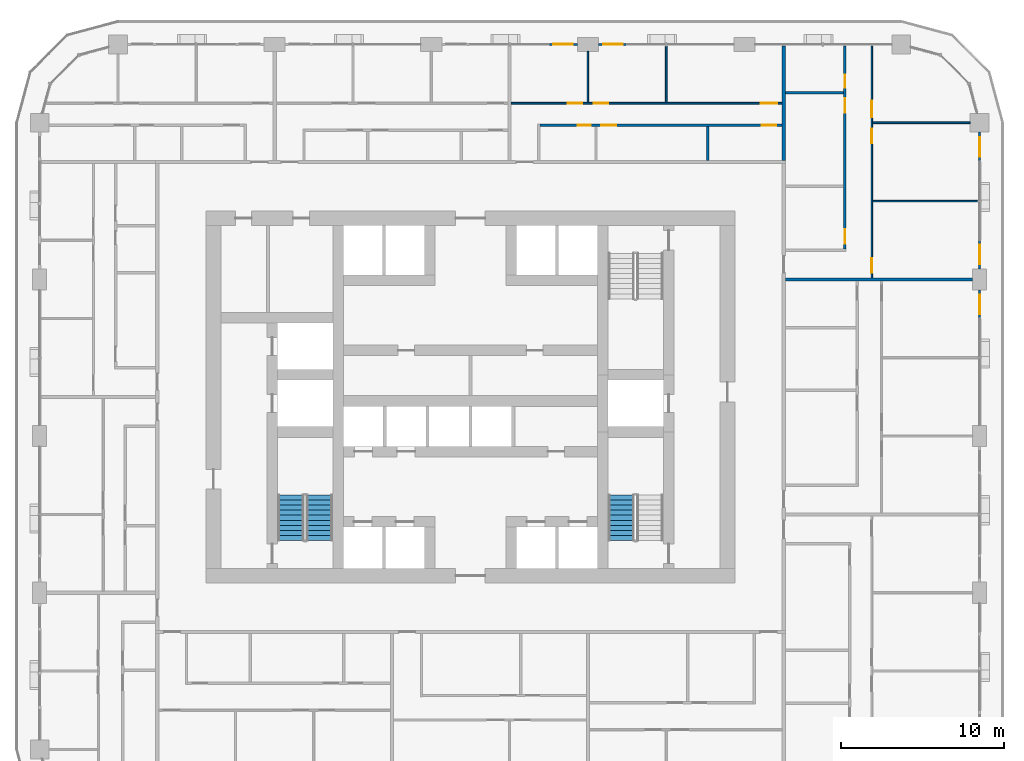
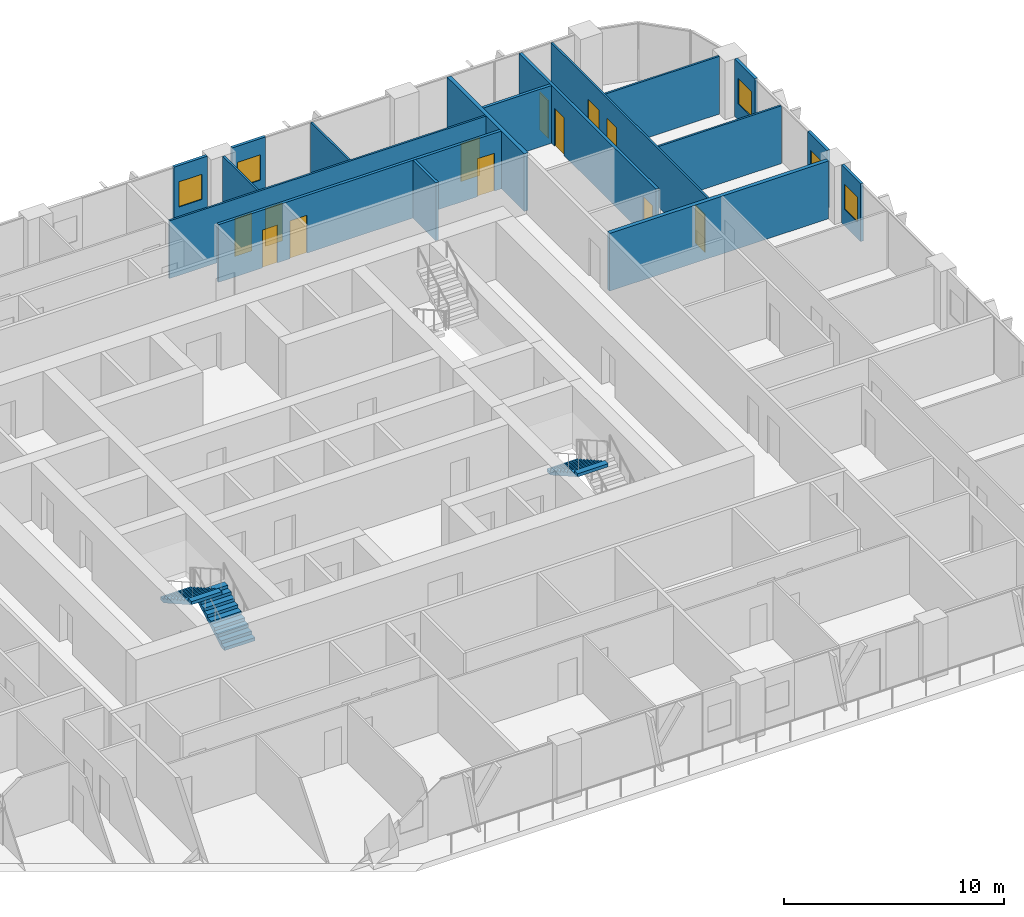
# One storey, part 15 of 22: 17 walls, 12 doors, 5 windows, 3 stair flights, 17 openings, 2 elements without a shape of their own.
"""IFC4 building model written with IfcOpenShell, lengths in metres."""

from ifc_helpers import new_model, si_unit, direction, frame, frame_2d, origin, place, context, subcontext, project, spatial, polyline, rectangle, outline, extrude, material, layer, layer_set, type_object, element, fill, aggregate, save


model = new_model("IFC4")

# Units and contexts
model_context = context("Model", 3, precision=1e-05, world=origin(), true_north=direction((0.0, 1.0)))
body_context = subcontext(model_context, "Body", "Model", "MODEL_VIEW")
ifc_project = project(units=[si_unit("LENGTHUNIT", "METRE"), si_unit("AREAUNIT", "SQUARE_METRE"), si_unit("VOLUMEUNIT", "CUBIC_METRE"), si_unit("PLANEANGLEUNIT", "RADIAN"), si_unit("MASSUNIT", "GRAM", prefix="KILO")], contexts=[model_context])

# Site, building, storey
site_placement = place(None, origin())
site = spatial("IfcSite", under=ifc_project, at=site_placement, CompositionType="ELEMENT")
building_placement = place(site_placement, origin())
building = spatial("IfcBuilding", under=site, at=building_placement, Name="Madar Terraces", CompositionType="ELEMENT")
storey_placement = place(building_placement, frame((0.0, 0.0, 73.300048828125)))
storey = spatial("IfcBuildingStorey", under=building, at=storey_placement, Name="L18", CompositionType="ELEMENT", Elevation=73.300048828125)

# Wall, opening, window
ifc_material_1 = material(Name="Aluminium composite panel, black, over insulated backing", Category="aluminium")
ifc_layer_1 = layer(ifc_material_1, 0.14990234375)
ifc_layer_set_1 = layer_set([ifc_layer_1], Name="Facade bay panel 150")
wall_type_1 = type_object("IfcWallType", Name="Facade bay panel 150", PredefinedType="SOLIDWALL", material=ifc_layer_set_1)
wall_1_placement = place(storey_placement, frame((62.39990234375, 31.199951171875, 0.0), z_axis=(0.0, 0.0, 1.0), x_axis=(0.0, 1.0, 0.0)))
wall_1 = element("IfcWall", 1, at=wall_1_placement, inside=storey, type_object=wall_type_1, Name="Facade bay panel", PredefinedType="SOLIDWALL", context=body_context, shape_type="SweptSolid", body=[
    extrude(rectangle(XDim=1.75, YDim=0.14990234375, at=frame_2d((0.875, 0.0))), origin(), (0.0, 0.0, 1.0), 3.199951171875),
])
opening_1_placement = place(wall_1_placement, frame((0.27490234375, 0.0, 0.89990234375)))
opening_1 = element("IfcOpeningElement", 2, at=opening_1_placement, cuts=wall_1, Name="Opening W1", PredefinedType="OPENING", context=body_context, shape_type="SweptSolid", body=[
    extrude(rectangle(XDim=1.199951171875, YDim=1.39990234375, at=frame_2d((0.60009765625, 0.699951171875))), frame((0.0, 0.0849609375, 0.0), z_axis=(0.0, -1.0, 0.0), x_axis=(1.0, 0.0, 0.0)), (0.0, 0.0, 1.0), 0.169921875),
])
ifc_material_2 = material(Name="Glass, clear, with black aluminium frame", Category="aluminium")
window_type = type_object("IfcWindowType", Name="Vent window 1200 x 1400", PartitioningType="SINGLE_PANEL", PredefinedType="WINDOW", material=ifc_material_2)
window_1_placement = place(opening_1_placement, origin())
window_1 = element("IfcWindow", 3, at=window_1_placement, inside=storey, type_object=window_type, Name="Operable vent window", OverallHeight=1.39990234375, OverallWidth=1.199951171875, PartitioningType="SINGLE_PANEL", PredefinedType="WINDOW", context=body_context, shape_type="SweptSolid", body=[
    extrude(rectangle(XDim=1.199951171875, YDim=1.39990234375, at=frame_2d((0.60009765625, 0.699951171875))), frame((0.0, 0.030029296875, 0.0), z_axis=(0.0, -1.0, 0.0), x_axis=(1.0, 0.0, 0.0)), (0.0, 0.0, 1.0), 0.06005859375),
])
fill(opening_1, window_1)

wall_2_placement = place(storey_placement, frame((62.39990234375, 34.25, 0.0), z_axis=(0.0, 0.0, 1.0), x_axis=(0.0, 1.0, 0.0)))
wall_2 = element("IfcWall", 4, at=wall_2_placement, inside=storey, type_object=wall_type_1, Name="Facade bay panel", PredefinedType="SOLIDWALL", context=body_context, shape_type="SweptSolid", body=[
    extrude(rectangle(XDim=1.75, YDim=0.14990234375, at=frame_2d((0.875, 0.0))), origin(), (0.0, 0.0, 1.0), 3.199951171875),
])
opening_2_placement = place(wall_2_placement, frame((0.27490234375, 0.0, 0.89990234375)))
opening_2 = element("IfcOpeningElement", 5, at=opening_2_placement, cuts=wall_2, Name="Opening W1", PredefinedType="OPENING", context=body_context, shape_type="SweptSolid", body=[
    extrude(rectangle(XDim=1.199951171875, YDim=1.39990234375, at=frame_2d((0.60009765625, 0.699951171875))), frame((0.0, 0.0849609375, 0.0), z_axis=(0.0, -1.0, 0.0), x_axis=(1.0, 0.0, 0.0)), (0.0, 0.0, 1.0), 0.169921875),
])
window_2_placement = place(opening_2_placement, origin())
window_2 = element("IfcWindow", 6, at=window_2_placement, inside=storey, type_object=window_type, Name="Operable vent window", OverallHeight=1.39990234375, OverallWidth=1.199951171875, PartitioningType="SINGLE_PANEL", PredefinedType="WINDOW", context=body_context, shape_type="SweptSolid", body=[
    extrude(rectangle(XDim=1.199951171875, YDim=1.39990234375, at=frame_2d((0.60009765625, 0.699951171875))), frame((0.0, 0.030029296875, 0.0), z_axis=(0.0, -1.0, 0.0), x_axis=(1.0, 0.0, 0.0)), (0.0, 0.0, 1.0), 0.06005859375),
])
fill(opening_2, window_2)

wall_3_placement = place(storey_placement, frame((62.39990234375, 40.800048828125, 0.0), z_axis=(0.0, 0.0, 1.0), x_axis=(0.0, 1.0, 0.0)))
wall_3 = element("IfcWall", 7, at=wall_3_placement, inside=storey, type_object=wall_type_1, Name="Facade bay panel", PredefinedType="SOLIDWALL", context=body_context, shape_type="SweptSolid", body=[
    extrude(rectangle(XDim=1.824951171875, YDim=0.14990234375, at=frame_2d((0.91259765625, 0.0))), origin(), (0.0, 0.0, 1.0), 3.199951171875),
])
opening_3_placement = place(wall_3_placement, frame((0.3125, 0.0, 0.89990234375)))
opening_3 = element("IfcOpeningElement", 8, at=opening_3_placement, cuts=wall_3, Name="Opening W1", PredefinedType="OPENING", context=body_context, shape_type="SweptSolid", body=[
    extrude(rectangle(XDim=1.199951171875, YDim=1.39990234375, at=frame_2d((0.60009765625, 0.699951171875))), frame((0.0, 0.0849609375, 0.0), z_axis=(0.0, -1.0, 0.0), x_axis=(1.0, 0.0, 0.0)), (0.0, 0.0, 1.0), 0.169921875),
])
window_3_placement = place(opening_3_placement, origin())
window_3 = element("IfcWindow", 9, at=window_3_placement, inside=storey, type_object=window_type, Name="Operable vent window", OverallHeight=1.39990234375, OverallWidth=1.199951171875, PartitioningType="SINGLE_PANEL", PredefinedType="WINDOW", context=body_context, shape_type="SweptSolid", body=[
    extrude(rectangle(XDim=1.199951171875, YDim=1.39990234375, at=frame_2d((0.60009765625, 0.699951171875))), frame((0.0, 0.030029296875, 0.0), z_axis=(0.0, -1.0, 0.0), x_axis=(1.0, 0.0, 0.0)), (0.0, 0.0, 1.0), 0.06005859375),
])
fill(opening_3, window_3)

wall_4_placement = place(storey_placement, frame((40.800048828125, 48.0, 0.0), z_axis=(0.0, 0.0, 1.0), x_axis=(-1.0, 0.0, 0.0)))
wall_4 = element("IfcWall", 10, at=wall_4_placement, inside=storey, type_object=wall_type_1, Name="Facade bay panel", PredefinedType="SOLIDWALL", context=body_context, shape_type="SweptSolid", body=[
    extrude(rectangle(XDim=1.75, YDim=0.14990234375, at=frame_2d((0.875, 0.0))), origin(), (0.0, 0.0, 1.0), 3.199951171875),
])
opening_4_placement = place(wall_4_placement, frame((0.27490234375, 0.0, 0.89990234375)))
opening_4 = element("IfcOpeningElement", 11, at=opening_4_placement, cuts=wall_4, Name="Opening W1", PredefinedType="OPENING", context=body_context, shape_type="SweptSolid", body=[
    extrude(rectangle(XDim=1.199951171875, YDim=1.39990234375, at=frame_2d((0.60009765625, 0.699951171875))), frame((0.0, 0.0849609375, 0.0), z_axis=(0.0, -1.0, 0.0), x_axis=(1.0, 0.0, 0.0)), (0.0, 0.0, 1.0), 0.169921875),
])
window_4_placement = place(opening_4_placement, origin())
window_4 = element("IfcWindow", 12, at=window_4_placement, inside=storey, type_object=window_type, Name="Operable vent window", OverallHeight=1.39990234375, OverallWidth=1.199951171875, PartitioningType="SINGLE_PANEL", PredefinedType="WINDOW", context=body_context, shape_type="SweptSolid", body=[
    extrude(rectangle(XDim=1.199951171875, YDim=1.39990234375, at=frame_2d((0.60009765625, 0.699951171875))), frame((0.0, 0.030029296875, 0.0), z_axis=(0.0, -1.0, 0.0), x_axis=(1.0, 0.0, 0.0)), (0.0, 0.0, 1.0), 0.06005859375),
])
fill(opening_4, window_4)

wall_5_placement = place(storey_placement, frame((37.75, 48.0, 0.0), z_axis=(0.0, 0.0, 1.0), x_axis=(-1.0, 0.0, 0.0)))
wall_5 = element("IfcWall", 13, at=wall_5_placement, inside=storey, type_object=wall_type_1, Name="Facade bay panel", PredefinedType="SOLIDWALL", context=body_context, shape_type="SweptSolid", body=[
    extrude(rectangle(XDim=1.75, YDim=0.14990234375, at=frame_2d((0.875, 0.0))), origin(), (0.0, 0.0, 1.0), 3.199951171875),
])
opening_5_placement = place(wall_5_placement, frame((0.27490234375, 0.0, 0.89990234375)))
opening_5 = element("IfcOpeningElement", 14, at=opening_5_placement, cuts=wall_5, Name="Opening W1", PredefinedType="OPENING", context=body_context, shape_type="SweptSolid", body=[
    extrude(rectangle(XDim=1.199951171875, YDim=1.39990234375, at=frame_2d((0.60009765625, 0.699951171875))), frame((0.0, 0.0849609375, 0.0), z_axis=(0.0, -1.0, 0.0), x_axis=(1.0, 0.0, 0.0)), (0.0, 0.0, 1.0), 0.169921875),
])
window_5_placement = place(opening_5_placement, origin())
window_5 = element("IfcWindow", 15, at=window_5_placement, inside=storey, type_object=window_type, Name="Operable vent window", OverallHeight=1.39990234375, OverallWidth=1.199951171875, PartitioningType="SINGLE_PANEL", PredefinedType="WINDOW", context=body_context, shape_type="SweptSolid", body=[
    extrude(rectangle(XDim=1.199951171875, YDim=1.39990234375, at=frame_2d((0.60009765625, 0.699951171875))), frame((0.0, 0.030029296875, 0.0), z_axis=(0.0, -1.0, 0.0), x_axis=(1.0, 0.0, 0.0)), (0.0, 0.0, 1.0), 0.06005859375),
])
fill(opening_5, window_5)

# Walls
ifc_material_3 = material(Name="Gypsum board on steel studs", Category="steel")
ifc_layer_2 = layer(ifc_material_3, 0.10009765625)
ifc_layer_set_2 = layer_set([ifc_layer_2], Name="Flat partition 100")
wall_type_2 = type_object("IfcWallType", Name="Flat partition 100", PredefinedType="PARTITIONING", material=ifc_layer_set_2)
wall_6_placement = place(storey_placement, frame((55.85009765625, 38.39990234375, 0.0), z_axis=(0.0, 0.0, 1.0), x_axis=(1.0, 0.0, 0.0)))
element("IfcWall", 16, at=wall_6_placement, inside=storey, type_object=wall_type_2, Name="Flat partition 100", PredefinedType="PARTITIONING", context=body_context, shape_type="SweptSolid", body=[
    extrude(rectangle(XDim=6.449951171875, YDim=0.10009765625, at=frame_2d((3.22509765625, 0.0))), origin(), (0.0, 0.0, 1.0), 3.199951171875),
])
wall_7_placement = place(storey_placement, frame((55.85009765625, 43.199951171875, 0.0), z_axis=(0.0, 0.0, 1.0), x_axis=(1.0, 0.0, 0.0)))
element("IfcWall", 17, at=wall_7_placement, inside=storey, type_object=wall_type_2, Name="Flat partition 100", PredefinedType="PARTITIONING", context=body_context, shape_type="SweptSolid", body=[
    extrude(rectangle(XDim=5.974853515625, YDim=0.10009765625, at=frame_2d((2.9873046875, 0.0))), origin(), (0.0, 0.0, 1.0), 3.199951171875),
])

# Wall, openings, doors
wall_8_placement = place(storey_placement, frame((55.800048828125, 47.89990234375, 0.0), z_axis=(0.0, 0.0, 1.0), x_axis=(0.0, -1.0, 0.0)))
wall_8 = element("IfcWall", 18, at=wall_8_placement, inside=storey, type_object=wall_type_2, Name="Flat partition 100", PredefinedType="PARTITIONING", context=body_context, shape_type="SweptSolid", body=[
    extrude(rectangle(XDim=14.199951171875, YDim=0.10009765625, at=frame_2d((7.10009765625, 0.0))), origin(), (0.0, 0.0, 1.0), 3.199951171875),
])
opening_6_placement = place(wall_8_placement, frame((13.0, 0.0, 0.0)))
opening_6 = element("IfcOpeningElement", 19, at=opening_6_placement, cuts=wall_8, Name="Opening D2", PredefinedType="OPENING", context=body_context, shape_type="SweptSolid", body=[
    extrude(rectangle(XDim=0.89990234375, YDim=2.10009765625, at=frame_2d((0.449951171875, 1.050048828125))), frame((0.0, 0.06005859375, 0.0), z_axis=(0.0, -1.0, 0.0), x_axis=(1.0, 0.0, 0.0)), (0.0, 0.0, 1.0), 0.1201171875),
])
opening_7_placement = place(wall_8_placement, frame((5.050048828125, 0.0, 0.0)))
opening_7 = element("IfcOpeningElement", 20, at=opening_7_placement, cuts=wall_8, Name="Opening D2", PredefinedType="OPENING", context=body_context, shape_type="SweptSolid", body=[
    extrude(rectangle(XDim=0.89990234375, YDim=2.10009765625, at=frame_2d((0.449951171875, 1.050048828125))), frame((0.0, 0.06005859375, 0.0), z_axis=(0.0, -1.0, 0.0), x_axis=(1.0, 0.0, 0.0)), (0.0, 0.0, 1.0), 0.1201171875),
])
opening_8_placement = place(wall_8_placement, frame((3.35009765625, 0.0, 0.0)))
opening_8 = element("IfcOpeningElement", 21, at=opening_8_placement, cuts=wall_8, Name="Opening D3", PredefinedType="OPENING", context=body_context, shape_type="SweptSolid", body=[
    extrude(rectangle(XDim=1.0, YDim=2.10009765625, at=frame_2d((0.5, 1.050048828125))), frame((0.0, 0.06005859375, 0.0), z_axis=(0.0, -1.0, 0.0), x_axis=(1.0, 0.0, 0.0)), (0.0, 0.0, 1.0), 0.1201171875),
])
ifc_material_4 = material(Name="Timber door leaf", Category="wood")
door_type_1 = type_object("IfcDoorType", Name="Flat living room door 1000", OperationType="NOTDEFINED", PredefinedType="DOOR", material=ifc_material_4)
door_1_placement = place(opening_8_placement, origin())
door_1 = element("IfcDoor", 22, at=door_1_placement, inside=storey, type_object=door_type_1, Name="Flat living room door 1000", OperationType="SINGLE_SWING_RIGHT", OverallHeight=2.10009765625, OverallWidth=1.0, PredefinedType="DOOR", context=body_context, shape_type="SweptSolid", body=[
    extrude(rectangle(XDim=1.0, YDim=2.10009765625, at=frame_2d((0.5, 1.050048828125))), frame((0.0, 0.02490234375, 0.0), z_axis=(0.0, -1.0, 0.0), x_axis=(1.0, 0.0, 0.0)), (0.0, 0.0, 1.0), 0.050048828125),
])
fill(opening_8, door_1)
ifc_material_5 = material(Name="Timber door leaf", Category="wood")
door_type_2 = type_object("IfcDoorType", Name="Flat room door 900", OperationType="NOTDEFINED", PredefinedType="DOOR", material=ifc_material_5)
door_2_placement = place(opening_6_placement, origin())
door_2 = element("IfcDoor", 23, at=door_2_placement, inside=storey, type_object=door_type_2, Name="Flat room door 900", OperationType="SINGLE_SWING_RIGHT", OverallHeight=2.10009765625, OverallWidth=0.89990234375, PredefinedType="DOOR", context=body_context, shape_type="SweptSolid", body=[
    extrude(rectangle(XDim=0.89990234375, YDim=2.10009765625, at=frame_2d((0.449951171875, 1.050048828125))), frame((0.0, 0.02490234375, 0.0), z_axis=(0.0, -1.0, 0.0), x_axis=(1.0, 0.0, 0.0)), (0.0, 0.0, 1.0), 0.050048828125),
])
fill(opening_6, door_2)
door_3_placement = place(opening_7_placement, origin())
door_3 = element("IfcDoor", 24, at=door_3_placement, inside=storey, type_object=door_type_2, Name="Flat room door 900", OperationType="SINGLE_SWING_LEFT", OverallHeight=2.10009765625, OverallWidth=0.89990234375, PredefinedType="DOOR", context=body_context, shape_type="SweptSolid", body=[
    extrude(rectangle(XDim=0.89990234375, YDim=2.10009765625, at=frame_2d((0.449951171875, 1.050048828125))), frame((0.0, 0.02490234375, 0.0), z_axis=(0.0, -1.0, 0.0), x_axis=(1.0, 0.0, 0.0)), (0.0, 0.0, 1.0), 0.050048828125),
])
fill(opening_7, door_3)

# Walls
wall_9_placement = place(storey_placement, frame((38.39990234375, 44.449951171875, 0.0), z_axis=(0.0, 0.0, 1.0), x_axis=(0.0, 1.0, 0.0)))
element("IfcWall", 25, at=wall_9_placement, inside=storey, type_object=wall_type_2, Name="Flat partition 100", PredefinedType="PARTITIONING", context=body_context, shape_type="SweptSolid", body=[
    extrude(rectangle(XDim=3.125, YDim=0.10009765625, at=frame_2d((1.5625, 0.0))), origin(), (0.0, 0.0, 1.0), 3.199951171875),
])
wall_10_placement = place(storey_placement, frame((43.199951171875, 44.449951171875, 0.0), z_axis=(0.0, 0.0, 1.0), x_axis=(0.0, 1.0, 0.0)))
element("IfcWall", 26, at=wall_10_placement, inside=storey, type_object=wall_type_2, Name="Flat partition 100", PredefinedType="PARTITIONING", context=body_context, shape_type="SweptSolid", body=[
    extrude(rectangle(XDim=3.449951171875, YDim=0.10009765625, at=frame_2d((1.72509765625, 0.0))), origin(), (0.0, 0.0, 1.0), 3.199951171875),
])

# Wall, openings, doors
wall_11_placement = place(storey_placement, frame((33.699951171875, 44.39990234375, 0.0), z_axis=(0.0, 0.0, 1.0), x_axis=(1.0, 0.0, 0.0)))
wall_11 = element("IfcWall", 27, at=wall_11_placement, inside=storey, type_object=wall_type_2, Name="Flat partition 100", PredefinedType="PARTITIONING", context=body_context, shape_type="SweptSolid", body=[
    extrude(rectangle(XDim=16.60009765625, YDim=0.10009765625, at=frame_2d((8.300048828125, 0.0))), origin(), (0.0, 0.0, 1.0), 3.199951171875),
])
opening_9_placement = place(wall_11_placement, frame((3.449951171875, 0.0, 0.0)))
opening_9 = element("IfcOpeningElement", 28, at=opening_9_placement, cuts=wall_11, Name="Opening D2", PredefinedType="OPENING", context=body_context, shape_type="SweptSolid", body=[
    extrude(rectangle(XDim=0.89990234375, YDim=2.10009765625, at=frame_2d((0.449951171875, 1.050048828125))), frame((0.0, 0.06005859375, 0.0), z_axis=(0.0, -1.0, 0.0), x_axis=(1.0, 0.0, 0.0)), (0.0, 0.0, 1.0), 0.1201171875),
])
opening_10_placement = place(wall_11_placement, frame((5.050048828125, 0.0, 0.0)))
opening_10 = element("IfcOpeningElement", 29, at=opening_10_placement, cuts=wall_11, Name="Opening D2", PredefinedType="OPENING", context=body_context, shape_type="SweptSolid", body=[
    extrude(rectangle(XDim=0.89990234375, YDim=2.10009765625, at=frame_2d((0.449951171875, 1.050048828125))), frame((0.0, 0.06005859375, 0.0), z_axis=(0.0, -1.0, 0.0), x_axis=(1.0, 0.0, 0.0)), (0.0, 0.0, 1.0), 0.1201171875),
])
opening_11_placement = place(wall_11_placement, frame((15.300048828125, 0.0, 0.0)))
opening_11 = element("IfcOpeningElement", 30, at=opening_11_placement, cuts=wall_11, Name="Opening D3", PredefinedType="OPENING", context=body_context, shape_type="SweptSolid", body=[
    extrude(rectangle(XDim=1.0, YDim=2.10009765625, at=frame_2d((0.5, 1.050048828125))), frame((0.0, 0.06005859375, 0.0), z_axis=(0.0, -1.0, 0.0), x_axis=(1.0, 0.0, 0.0)), (0.0, 0.0, 1.0), 0.1201171875),
])
door_4_placement = place(opening_11_placement, origin())
door_4 = element("IfcDoor", 31, at=door_4_placement, inside=storey, type_object=door_type_1, Name="Flat living room door 1000", OperationType="SINGLE_SWING_RIGHT", OverallHeight=2.10009765625, OverallWidth=1.0, PredefinedType="DOOR", context=body_context, shape_type="SweptSolid", body=[
    extrude(rectangle(XDim=1.0, YDim=2.10009765625, at=frame_2d((0.5, 1.050048828125))), frame((0.0, 0.02490234375, 0.0), z_axis=(0.0, -1.0, 0.0), x_axis=(1.0, 0.0, 0.0)), (0.0, 0.0, 1.0), 0.050048828125),
])
fill(opening_11, door_4)
door_5_placement = place(opening_9_placement, origin())
door_5 = element("IfcDoor", 32, at=door_5_placement, inside=storey, type_object=door_type_2, Name="Flat room door 900", OperationType="SINGLE_SWING_RIGHT", OverallHeight=2.10009765625, OverallWidth=0.89990234375, PredefinedType="DOOR", context=body_context, shape_type="SweptSolid", body=[
    extrude(rectangle(XDim=0.89990234375, YDim=2.10009765625, at=frame_2d((0.449951171875, 1.050048828125))), frame((0.0, 0.02490234375, 0.0), z_axis=(0.0, -1.0, 0.0), x_axis=(1.0, 0.0, 0.0)), (0.0, 0.0, 1.0), 0.050048828125),
])
fill(opening_9, door_5)
door_6_placement = place(opening_10_placement, origin())
door_6 = element("IfcDoor", 33, at=door_6_placement, inside=storey, type_object=door_type_2, Name="Flat room door 900", OperationType="SINGLE_SWING_LEFT", OverallHeight=2.10009765625, OverallWidth=0.89990234375, PredefinedType="DOOR", context=body_context, shape_type="SweptSolid", body=[
    extrude(rectangle(XDim=0.89990234375, YDim=2.10009765625, at=frame_2d((0.449951171875, 1.050048828125))), frame((0.0, 0.02490234375, 0.0), z_axis=(0.0, -1.0, 0.0), x_axis=(1.0, 0.0, 0.0)), (0.0, 0.0, 1.0), 0.050048828125),
])
fill(opening_10, door_6)

# Walls
ifc_material_6 = material(Name="Lightweight blockwork", Category="masonry")
ifc_layer_3 = layer(ifc_material_6, 0.199951171875)
ifc_layer_set_3 = layer_set([ifc_layer_3], Name="Flat party and entrance wall 200")
wall_type_3 = type_object("IfcWallType", Name="Flat party and entrance wall 200", PredefinedType="PARTITIONING", material=ifc_layer_set_3)
wall_12_placement = place(storey_placement, frame((50.5, 33.60009765625, 0.0), z_axis=(0.0, 0.0, 1.0), x_axis=(1.0, 0.0, 0.0)))
element("IfcWall", 34, at=wall_12_placement, inside=storey, type_object=wall_type_3, Name="Flat party and entrance wall 200", PredefinedType="PARTITIONING", context=body_context, shape_type="SweptSolid", body=[
    extrude(rectangle(XDim=11.47509765625, YDim=0.199951171875, at=frame_2d((5.737548828125, 0.0))), origin(), (0.0, 0.0, 1.0), 3.199951171875),
])
wall_13_placement = place(storey_placement, frame((50.39990234375, 40.89990234375, 0.0), z_axis=(0.0, 0.0, 1.0), x_axis=(0.0, 1.0, 0.0)))
element("IfcWall", 35, at=wall_13_placement, inside=storey, type_object=wall_type_3, Name="Flat party and entrance wall 200", PredefinedType="PARTITIONING", context=body_context, shape_type="SweptSolid", body=[
    extrude(rectangle(XDim=7.0, YDim=0.199951171875, at=frame_2d((3.5, 0.0))), origin(), (0.0, 0.0, 1.0), 3.199951171875),
])
ifc_material_7 = material(Name="Lightweight blockwork", Category="masonry")
ifc_layer_4 = layer(ifc_material_7, 0.14990234375)
ifc_layer_set_4 = layer_set([ifc_layer_4], Name="Flat wet-room partition 150")
wall_type_4 = type_object("IfcWallType", Name="Flat wet-room partition 150", PredefinedType="PARTITIONING", material=ifc_layer_set_4)
wall_14_placement = place(storey_placement, frame((50.5, 45.03271484375, 0.0), z_axis=(0.0, 0.0, 1.0), x_axis=(1.0, 0.0, 0.0)))
element("IfcWall", 36, at=wall_14_placement, inside=storey, type_object=wall_type_4, Name="Flat wet-room partition 150", PredefinedType="PARTITIONING", context=body_context, shape_type="SweptSolid", body=[
    extrude(rectangle(XDim=3.574951171875, YDim=0.14990234375, at=frame_2d((1.78759765625, 0.0))), origin(), (0.0, 0.0, 1.0), 3.199951171875),
])

# Wall, openings, doors
wall_15_placement = place(storey_placement, frame((54.14990234375, 35.47509765625, 0.0), z_axis=(0.0, 0.0, 1.0), x_axis=(0.0, 1.0, 0.0)))
wall_15 = element("IfcWall", 37, at=wall_15_placement, inside=storey, type_object=wall_type_4, Name="Flat wet-room partition 150", PredefinedType="PARTITIONING", context=body_context, shape_type="SweptSolid", body=[
    extrude(rectangle(XDim=12.4248046875, YDim=0.14990234375, at=frame_2d((6.21240234375, 0.0))), origin(), (0.0, 0.0, 1.0), 3.199951171875),
])
opening_12_placement = place(wall_15_placement, frame((0.300048828125, 0.0, 0.0)))
opening_12 = element("IfcOpeningElement", 38, at=opening_12_placement, cuts=wall_15, Name="Opening D5", PredefinedType="OPENING", context=body_context, shape_type="SweptSolid", body=[
    extrude(rectangle(XDim=0.89990234375, YDim=2.10009765625, at=frame_2d((0.449951171875, 1.050048828125))), frame((0.0, 0.0849609375, 0.0), z_axis=(0.0, -1.0, 0.0), x_axis=(1.0, 0.0, 0.0)), (0.0, 0.0, 1.0), 0.169921875),
])
opening_13_placement = place(wall_15_placement, frame((8.332763671875, 0.0, 0.0)))
opening_13 = element("IfcOpeningElement", 39, at=opening_13_placement, cuts=wall_15, Name="Opening D2", PredefinedType="OPENING", context=body_context, shape_type="SweptSolid", body=[
    extrude(rectangle(XDim=0.89990234375, YDim=2.10009765625, at=frame_2d((0.449951171875, 1.050048828125))), frame((0.0, 0.0849609375, 0.0), z_axis=(0.0, -1.0, 0.0), x_axis=(1.0, 0.0, 0.0)), (0.0, 0.0, 1.0), 0.169921875),
])
opening_14_placement = place(wall_15_placement, frame((9.8828125, 0.0, 0.0)))
opening_14 = element("IfcOpeningElement", 40, at=opening_14_placement, cuts=wall_15, Name="Opening D4", PredefinedType="OPENING", context=body_context, shape_type="SweptSolid", body=[
    extrude(rectangle(XDim=0.800048828125, YDim=2.10009765625, at=frame_2d((0.39990234375, 1.050048828125))), frame((0.0, 0.0849609375, 0.0), z_axis=(0.0, -1.0, 0.0), x_axis=(1.0, 0.0, 0.0)), (0.0, 0.0, 1.0), 0.169921875),
])
ifc_material_8 = material(Name="Timber door leaf", Category="wood")
door_type_3 = type_object("IfcDoorType", Name="Flat accessible bathroom door 900", OperationType="NOTDEFINED", PredefinedType="DOOR", material=ifc_material_8)
door_7_placement = place(opening_12_placement, origin())
door_7 = element("IfcDoor", 41, at=door_7_placement, inside=storey, type_object=door_type_3, Name="Flat accessible bathroom door 900", OperationType="SINGLE_SWING_LEFT", OverallHeight=2.10009765625, OverallWidth=0.89990234375, PredefinedType="DOOR", context=body_context, shape_type="SweptSolid", body=[
    extrude(rectangle(XDim=0.89990234375, YDim=2.10009765625, at=frame_2d((0.449951171875, 1.050048828125))), frame((0.0, 0.02490234375, 0.0), z_axis=(0.0, -1.0, 0.0), x_axis=(1.0, 0.0, 0.0)), (0.0, 0.0, 1.0), 0.050048828125),
])
fill(opening_12, door_7)
ifc_material_9 = material(Name="Timber door leaf", Category="wood")
door_type_4 = type_object("IfcDoorType", Name="Flat bathroom door 800", OperationType="NOTDEFINED", PredefinedType="DOOR", material=ifc_material_9)
door_8_placement = place(opening_14_placement, origin())
door_8 = element("IfcDoor", 42, at=door_8_placement, inside=storey, type_object=door_type_4, Name="Flat bathroom door 800", OperationType="SINGLE_SWING_LEFT", OverallHeight=2.10009765625, OverallWidth=0.800048828125, PredefinedType="DOOR", context=body_context, shape_type="SweptSolid", body=[
    extrude(rectangle(XDim=0.800048828125, YDim=2.10009765625, at=frame_2d((0.39990234375, 1.050048828125))), frame((0.0, 0.02490234375, 0.0), z_axis=(0.0, -1.0, 0.0), x_axis=(1.0, 0.0, 0.0)), (0.0, 0.0, 1.0), 0.050048828125),
])
fill(opening_14, door_8)
door_9_placement = place(opening_13_placement, origin())
door_9 = element("IfcDoor", 43, at=door_9_placement, inside=storey, type_object=door_type_2, Name="Flat room door 900", OperationType="SINGLE_SWING_RIGHT", OverallHeight=2.10009765625, OverallWidth=0.89990234375, PredefinedType="DOOR", context=body_context, shape_type="SweptSolid", body=[
    extrude(rectangle(XDim=0.89990234375, YDim=2.10009765625, at=frame_2d((0.449951171875, 1.050048828125))), frame((0.0, 0.02490234375, 0.0), z_axis=(0.0, -1.0, 0.0), x_axis=(1.0, 0.0, 0.0)), (0.0, 0.0, 1.0), 0.050048828125),
])
fill(opening_13, door_9)

# Wall
wall_16_placement = place(storey_placement, frame((45.738525390625, 40.89990234375, 0.0), z_axis=(0.0, 0.0, 1.0), x_axis=(0.0, 1.0, 0.0)))
element("IfcWall", 44, at=wall_16_placement, inside=storey, type_object=wall_type_4, Name="Flat wet-room partition 150", PredefinedType="PARTITIONING", context=body_context, shape_type="SweptSolid", body=[
    extrude(rectangle(XDim=2.0751953125, YDim=0.14990234375, at=frame_2d((1.03759765625, 0.0))), origin(), (0.0, 0.0, 1.0), 3.199951171875),
])

# Wall, openings, doors
wall_17_placement = place(storey_placement, frame((50.300048828125, 43.050048828125, 0.0), z_axis=(0.0, 0.0, 1.0), x_axis=(-1.0, 0.0, 0.0)))
wall_17 = element("IfcWall", 45, at=wall_17_placement, inside=storey, type_object=wall_type_4, Name="Flat wet-room partition 150", PredefinedType="PARTITIONING", context=body_context, shape_type="SweptSolid", body=[
    extrude(rectangle(XDim=14.824951171875, YDim=0.14990234375, at=frame_2d((7.41259765625, 0.0))), origin(), (0.0, 0.0, 1.0), 3.199951171875),
])
opening_15_placement = place(wall_17_placement, frame((11.728759765625, 0.0, 0.0)))
opening_15 = element("IfcOpeningElement", 46, at=opening_15_placement, cuts=wall_17, Name="Opening D4", PredefinedType="OPENING", context=body_context, shape_type="SweptSolid", body=[
    extrude(rectangle(XDim=0.800048828125, YDim=2.10009765625, at=frame_2d((0.39990234375, 1.050048828125))), frame((0.0, 0.0849609375, 0.0), z_axis=(0.0, -1.0, 0.0), x_axis=(1.0, 0.0, 0.0)), (0.0, 0.0, 1.0), 0.169921875),
])
opening_16_placement = place(wall_17_placement, frame((10.1787109375, 0.0, 0.0)))
opening_16 = element("IfcOpeningElement", 47, at=opening_16_placement, cuts=wall_17, Name="Opening D2", PredefinedType="OPENING", context=body_context, shape_type="SweptSolid", body=[
    extrude(rectangle(XDim=0.89990234375, YDim=2.10009765625, at=frame_2d((0.449951171875, 1.050048828125))), frame((0.0, 0.0849609375, 0.0), z_axis=(0.0, -1.0, 0.0), x_axis=(1.0, 0.0, 0.0)), (0.0, 0.0, 1.0), 0.169921875),
])
opening_17_placement = place(wall_17_placement, frame((0.35009765625, 0.0, 0.0)))
opening_17 = element("IfcOpeningElement", 48, at=opening_17_placement, cuts=wall_17, Name="Opening D5", PredefinedType="OPENING", context=body_context, shape_type="SweptSolid", body=[
    extrude(rectangle(XDim=0.89990234375, YDim=2.10009765625, at=frame_2d((0.449951171875, 1.050048828125))), frame((0.0, 0.0849609375, 0.0), z_axis=(0.0, -1.0, 0.0), x_axis=(1.0, 0.0, 0.0)), (0.0, 0.0, 1.0), 0.169921875),
])
door_10_placement = place(opening_17_placement, origin())
door_10 = element("IfcDoor", 49, at=door_10_placement, inside=storey, type_object=door_type_3, Name="Flat accessible bathroom door 900", OperationType="SINGLE_SWING_LEFT", OverallHeight=2.10009765625, OverallWidth=0.89990234375, PredefinedType="DOOR", context=body_context, shape_type="SweptSolid", body=[
    extrude(rectangle(XDim=0.89990234375, YDim=2.10009765625, at=frame_2d((0.449951171875, 1.050048828125))), frame((0.0, 0.02490234375, 0.0), z_axis=(0.0, -1.0, 0.0), x_axis=(1.0, 0.0, 0.0)), (0.0, 0.0, 1.0), 0.050048828125),
])
fill(opening_17, door_10)
door_11_placement = place(opening_15_placement, origin())
door_11 = element("IfcDoor", 50, at=door_11_placement, inside=storey, type_object=door_type_4, Name="Flat bathroom door 800", OperationType="SINGLE_SWING_LEFT", OverallHeight=2.10009765625, OverallWidth=0.800048828125, PredefinedType="DOOR", context=body_context, shape_type="SweptSolid", body=[
    extrude(rectangle(XDim=0.800048828125, YDim=2.10009765625, at=frame_2d((0.39990234375, 1.050048828125))), frame((0.0, 0.02490234375, 0.0), z_axis=(0.0, -1.0, 0.0), x_axis=(1.0, 0.0, 0.0)), (0.0, 0.0, 1.0), 0.050048828125),
])
fill(opening_15, door_11)
door_12_placement = place(opening_16_placement, origin())
door_12 = element("IfcDoor", 51, at=door_12_placement, inside=storey, type_object=door_type_2, Name="Flat room door 900", OperationType="SINGLE_SWING_RIGHT", OverallHeight=2.10009765625, OverallWidth=0.89990234375, PredefinedType="DOOR", context=body_context, shape_type="SweptSolid", body=[
    extrude(rectangle(XDim=0.89990234375, YDim=2.10009765625, at=frame_2d((0.449951171875, 1.050048828125))), frame((0.0, 0.02490234375, 0.0), z_axis=(0.0, -1.0, 0.0), x_axis=(1.0, 0.0, 0.0)), (0.0, 0.0, 1.0), 0.050048828125),
])
fill(opening_16, door_12)

# Stair, stair flights
ifc_material_10 = material(Name="Concrete C50/60", Category="concrete")
stair_type_1 = type_object("IfcStairType", Name="Stair ST1 protected exit", PredefinedType="HALF_TURN_STAIR", material=ifc_material_10)
stair_1_placement = place(storey_placement, origin())
stair_1 = element("IfcStair", 52, at=stair_1_placement, inside=storey, type_object=stair_type_1, Name="L18 Protected Exit Stair ST1", PredefinedType="HALF_TURN_STAIR")
ifc_material_11 = material(Name="Concrete C50/60", Category="concrete")
stair_flight_type_1 = type_object("IfcStairFlightType", Name="Stair flight ST1-F4, 1600 wide, 10 risers", PredefinedType="STRAIGHT", material=ifc_material_11)
stair_flight_1_placement = place(storey_placement, frame((21.949951171875, 17.60009765625, 0.0), z_axis=(0.0, 0.0, 1.0), x_axis=(0.0, 1.0, 0.0)))
stair_flight_1 = element("IfcStairFlight", 53, at=stair_flight_1_placement, type_object=stair_flight_type_1, Name="ST1 flight 1", NumberOfRisers=10, NumberOfTreads=9, PredefinedType="STRAIGHT", RiserHeight=0.175, TreadLength=0.31, context=body_context, shape_type="SweptSolid", body=[
    extrude(outline(polyline([(0.0, 0.0), (0.0, 0.175048828125), (0.31005859375, 0.175048828125), (0.31005859375, 0.35009765625), (0.6201171875, 0.35009765625), (0.6201171875, 0.52490234375), (0.929931640625, 0.52490234375), (0.929931640625, 0.699951171875), (1.239990234375, 0.699951171875), (1.239990234375, 0.875), (1.550048828125, 0.875), (1.550048828125, 1.050048828125), (1.860107421875, 1.050048828125), (1.860107421875, 1.22509765625), (2.169921875, 1.22509765625), (2.169921875, 1.39990234375), (2.47998046875, 1.39990234375), (2.47998046875, 1.574951171875), (2.7900390625, 1.574951171875), (2.7900390625, 1.75), (2.7900390625, 1.40283203125), (0.304931640625, 0.0), (0.0, 0.0)])), frame((0.0, 0.800048828125, 0.0), z_axis=(0.0, -1.0, 0.0), x_axis=(1.0, 0.0, 0.0)), (0.0, 0.0, 1.0), 1.60009765625),
])
stair_flight_2_placement = place(storey_placement, frame((20.199951171875, 20.389892578125, 1.75), z_axis=(0.0, 0.0, 1.0), x_axis=(0.0, -1.0, 0.0)))
stair_flight_2 = element("IfcStairFlight", 54, at=stair_flight_2_placement, type_object=stair_flight_type_1, Name="ST1 flight 2", NumberOfRisers=10, NumberOfTreads=9, PredefinedType="STRAIGHT", RiserHeight=0.175, TreadLength=0.31, context=body_context, shape_type="SweptSolid", body=[
    extrude(outline(polyline([(0.0, 0.0), (0.0, 0.175048828125), (0.31005859375, 0.175048828125), (0.31005859375, 0.35009765625), (0.6201171875, 0.35009765625), (0.6201171875, 0.52490234375), (0.929931640625, 0.52490234375), (0.929931640625, 0.699951171875), (1.239990234375, 0.699951171875), (1.239990234375, 0.875), (1.550048828125, 0.875), (1.550048828125, 1.050048828125), (1.860107421875, 1.050048828125), (1.860107421875, 1.22509765625), (2.169921875, 1.22509765625), (2.169921875, 1.39990234375), (2.47998046875, 1.39990234375), (2.47998046875, 1.574951171875), (2.7900390625, 1.574951171875), (2.7900390625, 1.75), (2.7900390625, 1.40283203125), (0.304931640625, 0.0), (0.0, 0.0)])), frame((0.0, 0.800048828125, 0.0), z_axis=(0.0, -1.0, 0.0), x_axis=(1.0, 0.0, 0.0)), (0.0, 0.0, 1.0), 1.60009765625),
])
aggregate(stair_1, [stair_flight_1, stair_flight_2])

# Stair, stair flight
ifc_material_12 = material(Name="Concrete C50/60", Category="concrete")
stair_type_2 = type_object("IfcStairType", Name="Stair ST3 protected exit", PredefinedType="HALF_TURN_STAIR", material=ifc_material_12)
stair_2_placement = place(storey_placement, origin())
stair_2 = element("IfcStair", 55, at=stair_2_placement, inside=storey, type_object=stair_type_2, Name="L18 Protected Exit Stair ST3", PredefinedType="HALF_TURN_STAIR")
ifc_material_13 = material(Name="Concrete C50/60", Category="concrete")
stair_flight_type_2 = type_object("IfcStairFlightType", Name="Stair flight ST3-F4, 1600 wide, 10 risers", PredefinedType="STRAIGHT", material=ifc_material_13)
stair_flight_3_placement = place(storey_placement, frame((40.449951171875, 20.389892578125, 1.75), z_axis=(0.0, 0.0, 1.0), x_axis=(0.0, -1.0, 0.0)))
stair_flight_3 = element("IfcStairFlight", 56, at=stair_flight_3_placement, type_object=stair_flight_type_2, Name="ST3 flight 2", NumberOfRisers=10, NumberOfTreads=9, PredefinedType="STRAIGHT", RiserHeight=0.175, TreadLength=0.31, context=body_context, shape_type="SweptSolid", body=[
    extrude(outline(polyline([(0.0, 0.0), (0.0, 0.175048828125), (0.31005859375, 0.175048828125), (0.31005859375, 0.35009765625), (0.6201171875, 0.35009765625), (0.6201171875, 0.52490234375), (0.929931640625, 0.52490234375), (0.929931640625, 0.699951171875), (1.239990234375, 0.699951171875), (1.239990234375, 0.875), (1.550048828125, 0.875), (1.550048828125, 1.050048828125), (1.860107421875, 1.050048828125), (1.860107421875, 1.22509765625), (2.169921875, 1.22509765625), (2.169921875, 1.39990234375), (2.47998046875, 1.39990234375), (2.47998046875, 1.574951171875), (2.7900390625, 1.574951171875), (2.7900390625, 1.75), (2.7900390625, 1.40283203125), (0.304931640625, 0.0), (0.0, 0.0)])), frame((0.0, 0.800048828125, 0.0), z_axis=(0.0, -1.0, 0.0), x_axis=(1.0, 0.0, 0.0)), (0.0, 0.0, 1.0), 1.60009765625),
])
aggregate(stair_2, [stair_flight_3])

save(model, "model.ifc")
